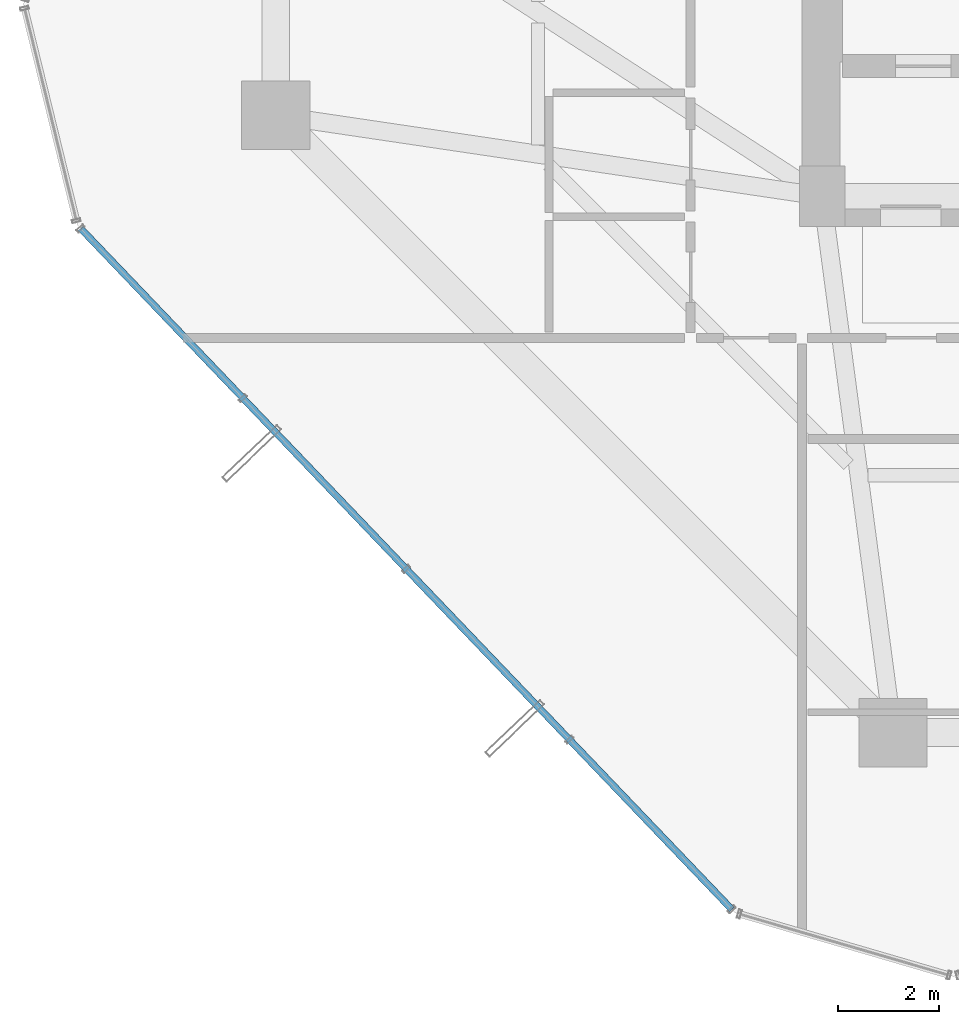
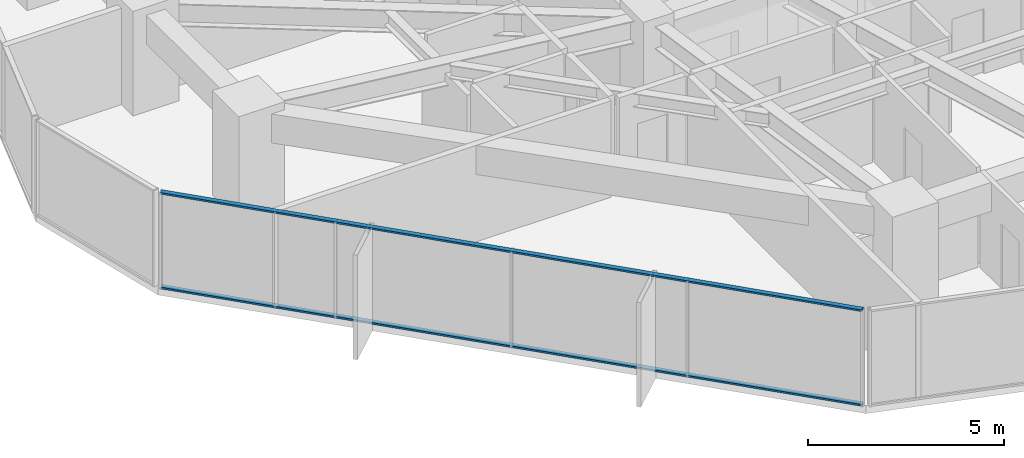
# One storey, part 3 of 37: 2 members, 1 element without a shape of its own.
"""IFC4 building model written with IfcOpenShell, lengths in metres."""

from ifc_helpers import new_model, si_unit, direction, frame, origin, origin_2d, place, context, subcontext, project, spatial, hollow_rectangle, extrude, source, transform, mapped, material, layer, layer_set, material_profile, profile_set, type_object, element, aggregate, save


model = new_model("IFC4")

# Units and contexts
model_context = context("Model", 3, precision=1e-05, world=origin(), true_north=direction((0.0, 1.0)))
body_context = subcontext(model_context, "Body", "Model", "MODEL_VIEW")
ifc_project = project(units=[si_unit("LENGTHUNIT", "METRE"), si_unit("AREAUNIT", "SQUARE_METRE"), si_unit("VOLUMEUNIT", "CUBIC_METRE"), si_unit("PLANEANGLEUNIT", "RADIAN"), si_unit("MASSUNIT", "GRAM", prefix="KILO")], contexts=[model_context])

# Site, building, storey
site_placement = place(None, origin())
site = spatial("IfcSite", under=ifc_project, at=site_placement, CompositionType="ELEMENT")
building_placement = place(site_placement, origin())
building = spatial("IfcBuilding", under=site, at=building_placement, Name="Veraguas Prism Commons", CompositionType="ELEMENT")
storey_placement = place(building_placement, frame((0.0, 0.0, 70.60009765625)))
storey = spatial("IfcBuildingStorey", under=building, at=storey_placement, Name="L19", CompositionType="ELEMENT", Elevation=70.60009765625)

# Curtain wall, members
ifc_material = material(Name="Anodised aluminium EN AW-6063 T6", Category="aluminium")
ifc_layer = layer(ifc_material, 0.169921875, Name="Unitised Flush Curtain Wall Zone 1", Category="aluminium")
ifc_layer_set = layer_set([ifc_layer], Name="Anodised aluminium EN AW-6063 T6")
curtain_wall_type = type_object("IfcCurtainWallType", Name="Unitised Flush Curtain Wall Zone 1", PredefinedType="NOTDEFINED", material=ifc_layer_set)
curtain_wall_placement = place(storey_placement, origin())
curtain_wall = element("IfcCurtainWall", 1, at=curtain_wall_placement, inside=storey, type_object=curtain_wall_type, Name="Tower Facade Curtain Wall L19-F4", PredefinedType="NOTDEFINED")
ifc_material_profile = material_profile(ifc_material, hollow_rectangle(XDim=0.054931640625, YDim=0.135009765625, WallThickness=0.0029296875, at=origin_2d()), Name="AL55X135X3")
ifc_profile_set = profile_set([ifc_material_profile], Name="Anodised aluminium EN AW-6063 T6")
member_type = type_object("IfcMemberType", Name="Curtain Wall Transom Standard AL 55x135x3", PredefinedType="USERDEFINED", material=ifc_profile_set)
shared_shape = source(origin(), body_context, "Body", "SweptSolid", [
    extrude(hollow_rectangle(XDim=0.054931640625, YDim=0.135009765625, WallThickness=0.0029296875, at=origin_2d()), origin(), (0.0, 0.0, 1.0), 18.623779296875),
])
member_1_placement = place(storey_placement, frame((2.542724609375, 16.364990234375, 0.02734375), z_axis=(0.691127097183, -0.722733239542, 0.0), x_axis=(0.0, 0.0, 1.0)))
member_1 = element("IfcMember", 2, at=member_1_placement, type_object=member_type, Name="CW-Z1 Transom 1", ObjectType="TRANSOM", PredefinedType="USERDEFINED", context=body_context, shape_type="MappedRepresentation", body=[
    mapped(shared_shape, transform((0.0, 0.0, 0.0), scale=1.0)),
])
member_2_placement = place(storey_placement, frame((2.542724609375, 16.364990234375, 2.972412109375), z_axis=(0.691127097183, -0.722733239542, 0.0), x_axis=(0.0, 0.0, 1.0)))
member_2 = element("IfcMember", 3, at=member_2_placement, type_object=member_type, Name="CW-Z1 Transom 2", ObjectType="TRANSOM", PredefinedType="USERDEFINED", context=body_context, shape_type="MappedRepresentation", body=[
    mapped(shared_shape, transform((0.0, 0.0, 0.0), scale=1.0)),
])
aggregate(curtain_wall, [member_1, member_2])

save(model, "model.ifc")
